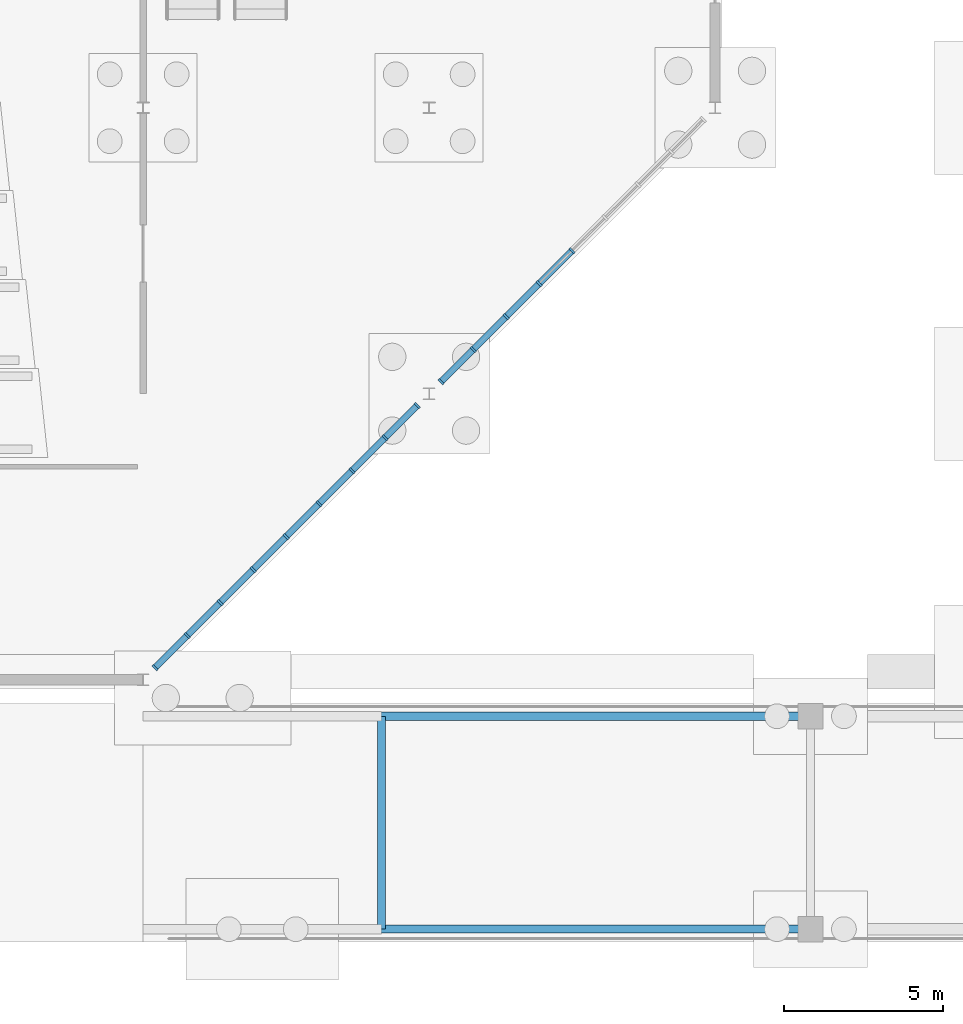
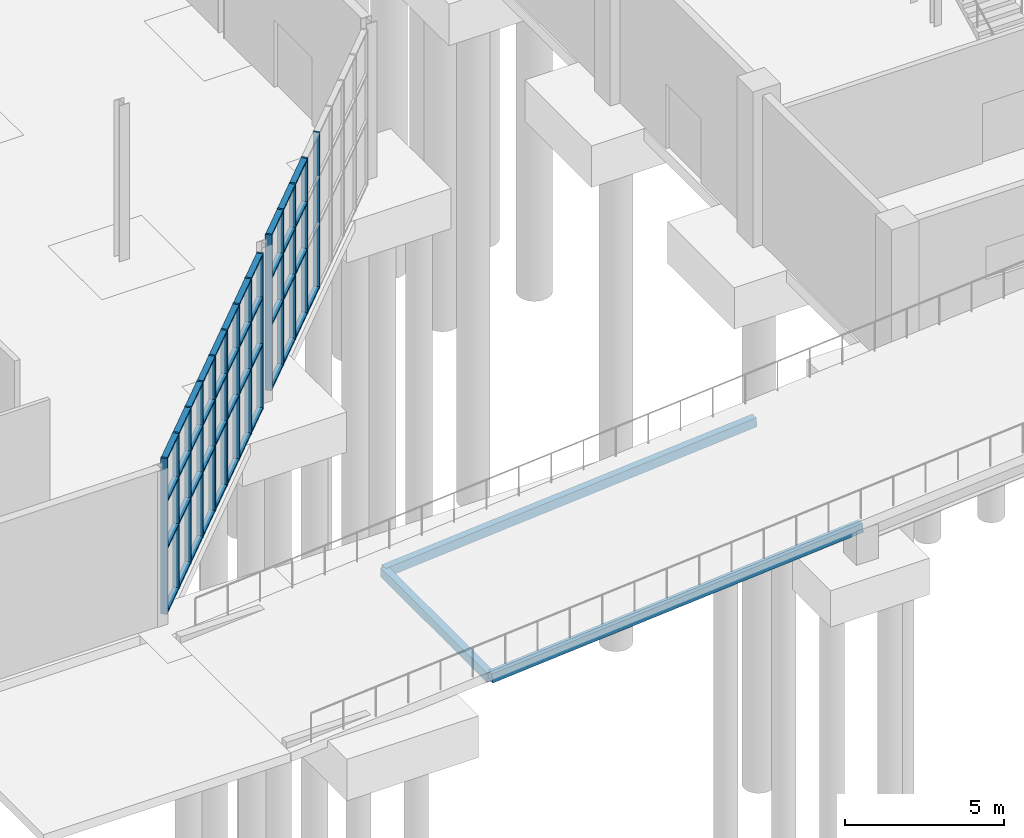
# One storey, part 37 of 131: 59 members, 3 beams, 2 elements without a shape of their own.
"""IFC4 building model written with IfcOpenShell, lengths in metres."""

import ifcopenshell
import ifcopenshell.guid

model = None  # the IFC model being written
_history = None  # IfcOwnerHistory: only IFC2X3 demands one
_inside = {}  # id of a spatial element -> (the spatial element, [elements in it])
_under = {}  # id of a project, library or spatial element -> (it, [spatial elements below it])
_declared = {}  # id of a project -> (the project, [libraries it declares])
_typed = {}  # id of a type object -> (the type object, [elements of that type])
_made_of = {}  # id of a material, layer set ... -> (it, [elements and type objects made of it])


def new_model(schema):
    """Start an empty IFC model of exactly this schema.

    Asked for "IFC4X3", IfcOpenShell would pick the latest addendum, in which some entities
    have other attributes; the version numbers below select the first issue.
    IFC2X3 requires an IfcOwnerHistory on every rooted entity: one is made here for all.
    """
    global model, _history
    if schema == "IFC4X3":
        model = ifcopenshell.file(schema_version=(4, 3, 0, 0))
    else:
        model = ifcopenshell.file(schema=schema)
    _inside.clear()
    _under.clear()
    _declared.clear()
    _typed.clear()
    _made_of.clear()
    _history = None
    if model.schema == "IFC2X3":
        org = make("IfcOrganization", Name="unknown")
        user = make(
            "IfcPersonAndOrganization",
            ThePerson=make("IfcPerson", FamilyName="unknown"),
            TheOrganization=org,
        )
        app = make(
            "IfcApplication",
            ApplicationDeveloper=org,
            Version="unknown",
            ApplicationFullName="unknown",
            ApplicationIdentifier="unknown",
        )
        _history = make(
            "IfcOwnerHistory",
            OwningUser=user,
            OwningApplication=app,
            ChangeAction="ADDED",
            CreationDate=0,
        )
    return model


def make(cls, **values):
    """One entity of the class cls with the attributes given. An attribute that is None is left unset."""
    return model.create_entity(
        cls, **{name: value for name, value in values.items() if value is not None}
    )


def rooted(cls, **values):
    """An entity with a GlobalId (a new one), such as an element, a storey or a relation."""
    return make(cls, GlobalId=ifcopenshell.guid.new(), OwnerHistory=_history, **values)


def si_unit(unit_type, name, prefix=None):
    """IfcSIUnit, for example si_unit("LENGTHUNIT", "METRE", prefix="MILLI")."""
    return make("IfcSIUnit", UnitType=unit_type, Prefix=prefix, Name=name)


def assignment(units):
    """IfcUnitAssignment: the units of a project."""
    return None if units is None else make("IfcUnitAssignment", Units=units)


def point(xyz):
    """IfcCartesianPoint."""
    return None if xyz is None else make("IfcCartesianPoint", Coordinates=xyz)


def direction(xyz):
    """IfcDirection."""
    return None if xyz is None else make("IfcDirection", DirectionRatios=xyz)


def frame(location, z_axis=None, x_axis=None):
    """IfcAxis2Placement3D, a coordinate frame: its origin and axes. An axis left out is left unset."""
    return make(
        "IfcAxis2Placement3D",
        Location=point(location),
        Axis=direction(z_axis),
        RefDirection=direction(x_axis),
    )


def frame_2d(location, x_axis=None):
    """IfcAxis2Placement2D, a coordinate frame in the plane: its origin and x axis."""
    return make(
        "IfcAxis2Placement2D", Location=point(location), RefDirection=direction(x_axis)
    )


def origin():
    """The frame at (0, 0, 0) with its axes left unset."""
    return frame((0.0, 0.0, 0.0))


def origin_2d():
    """The frame at (0, 0) in the plane with its x axis left unset."""
    return frame_2d((0.0, 0.0))


def place(relative_to, where):
    """IfcLocalPlacement: puts the frame where relative to a parent placement (None: the world)."""
    return make(
        "IfcLocalPlacement", PlacementRelTo=relative_to, RelativePlacement=where
    )


def context(
    kind, dimensions, precision=None, world=None, true_north=None, identifier=None
):
    """IfcGeometricRepresentationContext, for example the 3D "Model" context."""
    return make(
        "IfcGeometricRepresentationContext",
        ContextIdentifier=identifier,
        ContextType=kind,
        CoordinateSpaceDimension=dimensions,
        Precision=precision,
        WorldCoordinateSystem=world,
        TrueNorth=true_north,
    )


def subcontext(parent, identifier, kind, view, scale=None):
    """IfcGeometricRepresentationSubContext, for example "Body" below "Model"."""
    return make(
        "IfcGeometricRepresentationSubContext",
        ContextIdentifier=identifier,
        ContextType=kind,
        ParentContext=parent,
        TargetScale=scale,
        TargetView=view,
    )


def project(units=None, contexts=None):
    """IfcProject with its units and contexts."""
    return rooted(
        "IfcProject",
        Name="project",
        RepresentationContexts=contexts,
        UnitsInContext=assignment(units),
    )


def spatial(cls, under=None, at=None, **own):
    """A site, building, storey or space (cls), placed at a placement, below another one or the project."""
    s = rooted(cls, ObjectPlacement=at, **own)
    if under is not None:
        _under.setdefault(under.id(), (under, []))[1].append(s)
    return s


def profile(cls, at=None, kind="AREA", **sizes):
    """A parametric profile (cls). Its sizes go by their IFC names, for example OverallWidth=200.0."""
    return make(cls, ProfileType=kind, Position=at, **sizes)


def rectangle(**sizes):
    """IfcRectangleProfileDef."""
    return profile("IfcRectangleProfileDef", **sizes)


def hollow_rectangle(**sizes):
    """IfcRectangleHollowProfileDef."""
    return profile("IfcRectangleHollowProfileDef", **sizes)


def extrude(swept, where, along, depth):
    """IfcExtrudedAreaSolid: the profile swept, set in the frame where, extruded along a direction by depth."""
    return make(
        "IfcExtrudedAreaSolid",
        SweptArea=swept,
        Position=where,
        ExtrudedDirection=direction(along),
        Depth=depth,
    )


def shape(context_of_items, identifier, shape_type, items):
    """IfcShapeRepresentation: the items that make up one representation, for example the "Body"."""
    return make(
        "IfcShapeRepresentation",
        ContextOfItems=context_of_items,
        RepresentationIdentifier=identifier,
        RepresentationType=shape_type,
        Items=items,
    )


def material(Name=None, Category=None):
    """IfcMaterial."""
    return make("IfcMaterial", Name=Name, Category=Category)


def layer(
    of_material, thickness, ventilated=None, Name=None, Category=None, Priority=None
):
    """IfcMaterialLayer: one layer of a wall or slab, of a material (None: an air gap)."""
    return make(
        "IfcMaterialLayer",
        Material=of_material,
        LayerThickness=thickness,
        IsVentilated=ventilated,
        Name=Name,
        Category=Category,
        Priority=Priority,
    )


def layer_set(layers, Name=None):
    """IfcMaterialLayerSet."""
    return make("IfcMaterialLayerSet", MaterialLayers=layers, LayerSetName=Name)


def material_profile(
    of_material, cross_section, Name=None, Category=None, Priority=None
):
    """IfcMaterialProfile: a cross section and its material."""
    return make(
        "IfcMaterialProfile",
        Name=Name,
        Material=of_material,
        Profile=cross_section,
        Priority=Priority,
        Category=Category,
    )


def profile_set(profiles, Name=None, composite=None):
    """IfcMaterialProfileSet."""
    return make(
        "IfcMaterialProfileSet",
        Name=Name,
        MaterialProfiles=profiles,
        CompositeProfile=composite,
    )


def made_of(thing, what):
    """Note that an element or type object is made of a material, layer set ...; save() writes the relation."""
    if what is not None:
        _made_of.setdefault(what.id(), (what, []))[1].append(thing)
    return thing


def type_object(cls, material=None, **own):
    """A type object (cls), such as IfcWallType, which elements share."""
    return made_of(rooted(cls, **own), material)


def element(
    cls,
    number,
    at=None,
    inside=None,
    cuts=None,
    type_object=None,
    material=None,
    context=None,
    identifier="Body",
    shape_type=None,
    held_by="IfcProductDefinitionShape",
    body=None,
    shapes=None,
    **own,
):
    """One element of the class cls, such as IfcWall. Its Tag is "e" and its number.

    at: its placement. inside: the storey or other place that contains it. cuts: it is an
    opening in that element (IfcRelVoidsElement). A single representation is given by context,
    identifier, shape_type and body (its items); several are given by shapes. held_by: the class
    of the entity that holds the representations. save() writes the other relations.
    """
    e = rooted(cls, Tag="e%d" % number, ObjectPlacement=at, **own)
    if body is not None:
        shapes = [shape(context, identifier, shape_type, body)]
    if shapes is not None:
        e.Representation = make(held_by, Representations=shapes)
    if inside is not None:
        _inside.setdefault(inside.id(), (inside, []))[1].append(e)
    if cuts is not None:
        rooted(
            "IfcRelVoidsElement", RelatingBuildingElement=cuts, RelatedOpeningElement=e
        )
    if type_object is not None:
        _typed.setdefault(type_object.id(), (type_object, []))[1].append(e)
    return made_of(e, material)


def aggregate(whole, parts):
    """IfcRelAggregates: a whole, such as a stair, and the parts it consists of."""
    return rooted("IfcRelAggregates", RelatingObject=whole, RelatedObjects=parts)


def save(model, path):
    """Write the relations noted so far, then the file.

    IfcRelAggregates (storeys below a building ...), IfcRelContainedInSpatialStructure (elements
    in a storey), IfcRelDefinesByType, IfcRelAssociatesMaterial and IfcRelDeclares: one each for
    every whole, place, type object, material and project.
    """
    for whole, parts in _under.values():
        aggregate(whole, parts)
    for where, things in _inside.values():
        rooted(
            "IfcRelContainedInSpatialStructure",
            RelatedElements=things,
            RelatingStructure=where,
        )
    for kind, things in _typed.values():
        rooted("IfcRelDefinesByType", RelatedObjects=things, RelatingType=kind)
    for what, things in _made_of.values():
        rooted("IfcRelAssociatesMaterial", RelatedObjects=things, RelatingMaterial=what)
    for by, libraries in _declared.values():
        rooted("IfcRelDeclares", RelatingContext=by, RelatedDefinitions=libraries)
    model.write(path)


model = new_model("IFC4")

# Units and contexts
model_context = context("Model", 3, precision=1e-05, world=origin(), true_north=direction((0.0, 1.0)))
body_context = subcontext(model_context, "Body", "Model", "MODEL_VIEW")
ifc_project = project(units=[si_unit("LENGTHUNIT", "METRE"), si_unit("AREAUNIT", "SQUARE_METRE"), si_unit("VOLUMEUNIT", "CUBIC_METRE"), si_unit("PLANEANGLEUNIT", "RADIAN"), si_unit("MASSUNIT", "GRAM", prefix="KILO")], contexts=[model_context])

# Site, building, storey
site_placement = place(None, origin())
site = spatial("IfcSite", under=ifc_project, at=site_placement, CompositionType="ELEMENT")
building_placement = place(site_placement, origin())
building = spatial("IfcBuilding", under=site, at=building_placement, Name="Cazmaro Siding Exhibition Halls", CompositionType="ELEMENT")
storey_placement = place(building_placement, origin())
storey = spatial("IfcBuildingStorey", under=building, at=storey_placement, Name="L00", CompositionType="ELEMENT", Elevation=0.0)

# Beams
ifc_material_1 = material(Name="Steel ASTM A500 Grade C", Category="steel")
ifc_material_profile_1 = material_profile(ifc_material_1, hollow_rectangle(XDim=0.25390625, YDim=0.35595703125, WallThickness=0.014892578125, at=origin_2d()), Name="HSS14X10X5/8")
ifc_profile_set_1 = profile_set([ifc_material_profile_1], Name="Steel ASTM A500 Grade C")
beam_type = type_object("IfcBeamType", Name="B-06", PredefinedType="BEAM", material=ifc_profile_set_1)
beam_placement = place(storey_placement, frame((52.5, 1.14990234375, 0.06591796875), z_axis=(0.0, 1.0, 0.0), x_axis=(-1.0, 0.0, 0.0)))
element("IfcBeam", 1, at=beam_placement, inside=storey, type_object=beam_type, Name="Truck viaduct abutment seat beam B-06 BM-2439", PredefinedType="BEAM", context=body_context, shape_type="SweptSolid", body=[
    extrude(hollow_rectangle(XDim=0.25390625, YDim=0.35595703125, WallThickness=0.014892578125, at=origin_2d()), origin(), (0.0, 0.0, 1.0), 6.7001953125),
])
for number, where, z_axis, x_axis, name in (
    (2, (52.5, 1.14990234375, 0.06591796875), (0.996814819966, 0.0, 0.079750954202), (0.0, 1.0, 0.0), "Truck viaduct sloped stringer girder B-06 BM-2440"),
    (3, (52.5, 7.85009765625, 0.06591796875), (0.996814819966, 0.0, 0.079750954202), (0.0, 1.0, 0.0), "Truck viaduct sloped stringer girder B-06 BM-2441"),
):
    element("IfcBeam", number, at=place(storey_placement, frame(where, z_axis=z_axis, x_axis=x_axis)), inside=storey, type_object=beam_type, Name=name, PredefinedType="BEAM", context=body_context, shape_type="SweptSolid", body=[
        extrude(hollow_rectangle(XDim=0.25390625, YDim=0.35595703125, WallThickness=0.014892578125, at=origin_2d()), origin(), (0.0, 0.0, 1.0), 13.543212890625),
    ])

# Curtain wall, members
ifc_material_2 = material(Name="Anodized Bronze Aluminum and Solar-Control Low-E Glazing", Category="aluminium")
ifc_layer = layer(ifc_material_2, 0.219970703125)
ifc_layer_set = layer_set([ifc_layer], Name="Anodized Bronze Aluminum and Solar-Control Low-E Glazing")
curtain_wall_type = type_object("IfcCurtainWallType", Name="CWS-03", PredefinedType="USERDEFINED", material=ifc_layer_set)
curtain_wall_1_placement = place(storey_placement, origin())
curtain_wall_1 = element("IfcCurtainWall", 4, at=curtain_wall_1_placement, inside=storey, type_object=curtain_wall_type, Name="Glazed Curtain Wall CWS-03 CW-211", ObjectType="GLAZED CURTAIN WALL", PredefinedType="USERDEFINED")
ifc_material_3 = material(Name="Anodized Bronze Extruded Aluminum", Category="aluminium")
ifc_material_profile_2 = material_profile(ifc_material_3, rectangle(XDim=0.219970703125, YDim=0.070068359375, at=origin_2d()), Name="CWM-03")
ifc_profile_set_2 = profile_set([ifc_material_profile_2], Name="Anodized Bronze Extruded Aluminum")
member_type_1 = type_object("IfcMemberType", Name="CWM-03", PredefinedType="MULLION", material=ifc_profile_set_2)
member_1_placement = place(storey_placement, frame((45.374755859375, 9.374755859375, 0.0), z_axis=(0.0, 0.0, 1.0), x_axis=(-0.707106781187, 0.707106781187, 0.0)))
member_1 = element("IfcMember", 5, at=member_1_placement, type_object=member_type_1, Name="CWS-03 mullion 1", PredefinedType="MULLION", context=body_context, shape_type="SweptSolid", body=[
    extrude(rectangle(XDim=0.219970703125, YDim=0.070068359375, at=origin_2d()), origin(), (0.0, 0.0, 1.0), 6.0),
])
member_2_placement = place(storey_placement, frame((46.387451171875, 10.387451171875, 0.0), z_axis=(0.0, 0.0, 1.0), x_axis=(-0.707106781187, 0.707106781187, 0.0)))
member_2 = element("IfcMember", 6, at=member_2_placement, type_object=member_type_1, Name="CWS-03 mullion 2", PredefinedType="MULLION", context=body_context, shape_type="SweptSolid", body=[
    extrude(rectangle(XDim=0.219970703125, YDim=0.070068359375, at=origin_2d()), origin(), (0.0, 0.0, 1.0), 6.0),
])
member_3_placement = place(storey_placement, frame((47.425048828125, 11.425048828125, 0.0), z_axis=(0.0, 0.0, 1.0), x_axis=(-0.707106781187, 0.707106781187, 0.0)))
member_3 = element("IfcMember", 7, at=member_3_placement, type_object=member_type_1, Name="CWS-03 mullion 3", PredefinedType="MULLION", context=body_context, shape_type="SweptSolid", body=[
    extrude(rectangle(XDim=0.219970703125, YDim=0.070068359375, at=origin_2d()), origin(), (0.0, 0.0, 1.0), 6.0),
])
member_4_placement = place(storey_placement, frame((48.46240234375, 12.46240234375, 0.0), z_axis=(0.0, 0.0, 1.0), x_axis=(-0.707106781187, 0.707106781187, 0.0)))
member_4 = element("IfcMember", 8, at=member_4_placement, type_object=member_type_1, Name="CWS-03 mullion 4", PredefinedType="MULLION", context=body_context, shape_type="SweptSolid", body=[
    extrude(rectangle(XDim=0.219970703125, YDim=0.070068359375, at=origin_2d()), origin(), (0.0, 0.0, 1.0), 6.0),
])
member_5_placement = place(storey_placement, frame((49.5, 13.5, 0.0), z_axis=(0.0, 0.0, 1.0), x_axis=(-0.707106781187, 0.707106781187, 0.0)))
member_5 = element("IfcMember", 9, at=member_5_placement, type_object=member_type_1, Name="CWS-03 mullion 5", PredefinedType="MULLION", context=body_context, shape_type="SweptSolid", body=[
    extrude(rectangle(XDim=0.219970703125, YDim=0.070068359375, at=origin_2d()), origin(), (0.0, 0.0, 1.0), 6.0),
])
member_6_placement = place(storey_placement, frame((50.53759765625, 14.53759765625, 0.0), z_axis=(0.0, 0.0, 1.0), x_axis=(-0.707106781187, 0.707106781187, 0.0)))
member_6 = element("IfcMember", 10, at=member_6_placement, type_object=member_type_1, Name="CWS-03 mullion 6", PredefinedType="MULLION", context=body_context, shape_type="SweptSolid", body=[
    extrude(rectangle(XDim=0.219970703125, YDim=0.070068359375, at=origin_2d()), origin(), (0.0, 0.0, 1.0), 6.0),
])
member_7_placement = place(storey_placement, frame((51.574951171875, 15.574951171875, 0.0), z_axis=(0.0, 0.0, 1.0), x_axis=(-0.707106781187, 0.707106781187, 0.0)))
member_7 = element("IfcMember", 11, at=member_7_placement, type_object=member_type_1, Name="CWS-03 mullion 7", PredefinedType="MULLION", context=body_context, shape_type="SweptSolid", body=[
    extrude(rectangle(XDim=0.219970703125, YDim=0.070068359375, at=origin_2d()), origin(), (0.0, 0.0, 1.0), 6.0),
])
member_8_placement = place(storey_placement, frame((52.612548828125, 16.612548828125, 0.0), z_axis=(0.0, 0.0, 1.0), x_axis=(-0.707106781187, 0.707106781187, 0.0)))
member_8 = element("IfcMember", 12, at=member_8_placement, type_object=member_type_1, Name="CWS-03 mullion 8", PredefinedType="MULLION", context=body_context, shape_type="SweptSolid", body=[
    extrude(rectangle(XDim=0.219970703125, YDim=0.070068359375, at=origin_2d()), origin(), (0.0, 0.0, 1.0), 6.0),
])
member_9_placement = place(storey_placement, frame((53.625244140625, 17.625244140625, 0.0), z_axis=(0.0, 0.0, 1.0), x_axis=(-0.707106781187, 0.707106781187, 0.0)))
member_9 = element("IfcMember", 13, at=member_9_placement, type_object=member_type_1, Name="CWS-03 mullion 9", PredefinedType="MULLION", context=body_context, shape_type="SweptSolid", body=[
    extrude(rectangle(XDim=0.219970703125, YDim=0.070068359375, at=origin_2d()), origin(), (0.0, 0.0, 1.0), 6.0),
])

curtain_wall_2_placement = place(storey_placement, origin())
curtain_wall_2 = element("IfcCurtainWall", 14, at=curtain_wall_2_placement, inside=storey, type_object=curtain_wall_type, Name="Glazed Curtain Wall CWS-03 CW-214", ObjectType="GLAZED CURTAIN WALL", PredefinedType="USERDEFINED")
member_10_placement = place(storey_placement, frame((54.374755859375, 18.374755859375, 0.0), z_axis=(0.0, 0.0, 1.0), x_axis=(-0.707106781187, 0.707106781187, 0.0)))
member_10 = element("IfcMember", 15, at=member_10_placement, type_object=member_type_1, Name="CWS-03 mullion 1", PredefinedType="MULLION", context=body_context, shape_type="SweptSolid", body=[
    extrude(rectangle(XDim=0.219970703125, YDim=0.070068359375, at=origin_2d()), origin(), (0.0, 0.0, 1.0), 6.0),
])
member_11_placement = place(storey_placement, frame((55.387451171875, 19.387451171875, 0.0), z_axis=(0.0, 0.0, 1.0), x_axis=(-0.707106781187, 0.707106781187, 0.0)))
member_11 = element("IfcMember", 16, at=member_11_placement, type_object=member_type_1, Name="CWS-03 mullion 2", PredefinedType="MULLION", context=body_context, shape_type="SweptSolid", body=[
    extrude(rectangle(XDim=0.219970703125, YDim=0.070068359375, at=origin_2d()), origin(), (0.0, 0.0, 1.0), 6.0),
])
member_12_placement = place(storey_placement, frame((56.425048828125, 20.425048828125, 0.0), z_axis=(0.0, 0.0, 1.0), x_axis=(-0.707106781187, 0.707106781187, 0.0)))
member_12 = element("IfcMember", 17, at=member_12_placement, type_object=member_type_1, Name="CWS-03 mullion 3", PredefinedType="MULLION", context=body_context, shape_type="SweptSolid", body=[
    extrude(rectangle(XDim=0.219970703125, YDim=0.070068359375, at=origin_2d()), origin(), (0.0, 0.0, 1.0), 6.0),
])
member_13_placement = place(storey_placement, frame((57.46240234375, 21.46240234375, 0.0), z_axis=(0.0, 0.0, 1.0), x_axis=(-0.707106781187, 0.707106781187, 0.0)))
member_13 = element("IfcMember", 18, at=member_13_placement, type_object=member_type_1, Name="CWS-03 mullion 4", PredefinedType="MULLION", context=body_context, shape_type="SweptSolid", body=[
    extrude(rectangle(XDim=0.219970703125, YDim=0.070068359375, at=origin_2d()), origin(), (0.0, 0.0, 1.0), 6.0),
])
member_14_placement = place(storey_placement, frame((58.5, 22.5, 0.0), z_axis=(0.0, 0.0, 1.0), x_axis=(-0.707106781187, 0.707106781187, 0.0)))
member_14 = element("IfcMember", 19, at=member_14_placement, type_object=member_type_1, Name="CWS-03 mullion 5", PredefinedType="MULLION", context=body_context, shape_type="SweptSolid", body=[
    extrude(rectangle(XDim=0.219970703125, YDim=0.070068359375, at=origin_2d()), origin(), (0.0, 0.0, 1.0), 6.0),
])

# Member
ifc_material_4 = material(Name="Anodized Bronze Extruded Aluminum", Category="aluminium")
ifc_material_profile_3 = material_profile(ifc_material_4, rectangle(XDim=0.199951171875, YDim=0.070068359375, at=origin_2d()), Name="CWT-03")
ifc_profile_set_3 = profile_set([ifc_material_profile_3], Name="Anodized Bronze Extruded Aluminum")
member_type_2 = type_object("IfcMemberType", Name="CWT-03", PredefinedType="MULLION", material=ifc_profile_set_3)
member_15_placement = place(storey_placement, frame((45.3994140625, 9.3994140625, 0.034912109375), z_axis=(0.707106781187, 0.707106781187, 0.0), x_axis=(-0.707106781187, 0.707106781187, 0.0)))
member_15 = element("IfcMember", 20, at=member_15_placement, type_object=member_type_2, Name="CWS-03 transom 1.1", ObjectType="TRANSOM", PredefinedType="USERDEFINED", context=body_context, shape_type="SweptSolid", body=[
    extrude(rectangle(XDim=0.199951171875, YDim=0.070068359375, at=origin_2d()), origin(), (0.0, 0.0, 1.0), 1.3623046875),
])

member_16_placement = place(storey_placement, frame((45.3994140625, 9.3994140625, 2.5), z_axis=(0.707106781187, 0.707106781187, 0.0), x_axis=(-0.707106781187, 0.707106781187, 0.0)))
member_16 = element("IfcMember", 21, at=member_16_placement, type_object=member_type_2, Name="CWS-03 transom 1.2", ObjectType="TRANSOM", PredefinedType="USERDEFINED", context=body_context, shape_type="SweptSolid", body=[
    extrude(rectangle(XDim=0.199951171875, YDim=0.070068359375, at=origin_2d()), origin(), (0.0, 0.0, 1.0), 1.3623046875),
])

member_17_placement = place(storey_placement, frame((45.3994140625, 9.3994140625, 4.300048828125), z_axis=(0.707106781187, 0.707106781187, 0.0), x_axis=(-0.707106781187, 0.707106781187, 0.0)))
member_17 = element("IfcMember", 22, at=member_17_placement, type_object=member_type_2, Name="CWS-03 transom 1.3", ObjectType="TRANSOM", PredefinedType="USERDEFINED", context=body_context, shape_type="SweptSolid", body=[
    extrude(rectangle(XDim=0.199951171875, YDim=0.070068359375, at=origin_2d()), origin(), (0.0, 0.0, 1.0), 1.3623046875),
])

member_18_placement = place(storey_placement, frame((45.3994140625, 9.3994140625, 5.965087890625), z_axis=(0.707106781187, 0.707106781187, 0.0), x_axis=(-0.707106781187, 0.707106781187, 0.0)))
member_18 = element("IfcMember", 23, at=member_18_placement, type_object=member_type_2, Name="CWS-03 transom 1.4", ObjectType="TRANSOM", PredefinedType="USERDEFINED", context=body_context, shape_type="SweptSolid", body=[
    extrude(rectangle(XDim=0.199951171875, YDim=0.070068359375, at=origin_2d()), origin(), (0.0, 0.0, 1.0), 1.3623046875),
])

member_19_placement = place(storey_placement, frame((46.412353515625, 10.412353515625, 0.034912109375), z_axis=(0.707106781187, 0.707106781187, 0.0), x_axis=(-0.707106781187, 0.707106781187, 0.0)))
member_19 = element("IfcMember", 24, at=member_19_placement, type_object=member_type_2, Name="CWS-03 transom 2.1", ObjectType="TRANSOM", PredefinedType="USERDEFINED", context=body_context, shape_type="SweptSolid", body=[
    extrude(rectangle(XDim=0.199951171875, YDim=0.070068359375, at=origin_2d()), origin(), (0.0, 0.0, 1.0), 1.39697265625),
])

member_20_placement = place(storey_placement, frame((46.412353515625, 10.412353515625, 2.5), z_axis=(0.707106781187, 0.707106781187, 0.0), x_axis=(-0.707106781187, 0.707106781187, 0.0)))
member_20 = element("IfcMember", 25, at=member_20_placement, type_object=member_type_2, Name="CWS-03 transom 2.2", ObjectType="TRANSOM", PredefinedType="USERDEFINED", context=body_context, shape_type="SweptSolid", body=[
    extrude(rectangle(XDim=0.199951171875, YDim=0.070068359375, at=origin_2d()), origin(), (0.0, 0.0, 1.0), 1.39697265625),
])

member_21_placement = place(storey_placement, frame((46.412353515625, 10.412353515625, 4.300048828125), z_axis=(0.707106781187, 0.707106781187, 0.0), x_axis=(-0.707106781187, 0.707106781187, 0.0)))
member_21 = element("IfcMember", 26, at=member_21_placement, type_object=member_type_2, Name="CWS-03 transom 2.3", ObjectType="TRANSOM", PredefinedType="USERDEFINED", context=body_context, shape_type="SweptSolid", body=[
    extrude(rectangle(XDim=0.199951171875, YDim=0.070068359375, at=origin_2d()), origin(), (0.0, 0.0, 1.0), 1.39697265625),
])

member_22_placement = place(storey_placement, frame((46.412353515625, 10.412353515625, 5.965087890625), z_axis=(0.707106781187, 0.707106781187, 0.0), x_axis=(-0.707106781187, 0.707106781187, 0.0)))
member_22 = element("IfcMember", 27, at=member_22_placement, type_object=member_type_2, Name="CWS-03 transom 2.4", ObjectType="TRANSOM", PredefinedType="USERDEFINED", context=body_context, shape_type="SweptSolid", body=[
    extrude(rectangle(XDim=0.199951171875, YDim=0.070068359375, at=origin_2d()), origin(), (0.0, 0.0, 1.0), 1.39697265625),
])

member_23_placement = place(storey_placement, frame((47.44970703125, 11.44970703125, 0.034912109375), z_axis=(0.707106781187, 0.707106781187, 0.0), x_axis=(-0.707106781187, 0.707106781187, 0.0)))
member_23 = element("IfcMember", 28, at=member_23_placement, type_object=member_type_2, Name="CWS-03 transom 3.1", ObjectType="TRANSOM", PredefinedType="USERDEFINED", context=body_context, shape_type="SweptSolid", body=[
    extrude(rectangle(XDim=0.199951171875, YDim=0.070068359375, at=origin_2d()), origin(), (0.0, 0.0, 1.0), 1.397216796875),
])

member_24_placement = place(storey_placement, frame((47.44970703125, 11.44970703125, 2.5), z_axis=(0.707106781187, 0.707106781187, 0.0), x_axis=(-0.707106781187, 0.707106781187, 0.0)))
member_24 = element("IfcMember", 29, at=member_24_placement, type_object=member_type_2, Name="CWS-03 transom 3.2", ObjectType="TRANSOM", PredefinedType="USERDEFINED", context=body_context, shape_type="SweptSolid", body=[
    extrude(rectangle(XDim=0.199951171875, YDim=0.070068359375, at=origin_2d()), origin(), (0.0, 0.0, 1.0), 1.397216796875),
])

member_25_placement = place(storey_placement, frame((47.44970703125, 11.44970703125, 4.300048828125), z_axis=(0.707106781187, 0.707106781187, 0.0), x_axis=(-0.707106781187, 0.707106781187, 0.0)))
member_25 = element("IfcMember", 30, at=member_25_placement, type_object=member_type_2, Name="CWS-03 transom 3.3", ObjectType="TRANSOM", PredefinedType="USERDEFINED", context=body_context, shape_type="SweptSolid", body=[
    extrude(rectangle(XDim=0.199951171875, YDim=0.070068359375, at=origin_2d()), origin(), (0.0, 0.0, 1.0), 1.397216796875),
])

member_26_placement = place(storey_placement, frame((47.44970703125, 11.44970703125, 5.965087890625), z_axis=(0.707106781187, 0.707106781187, 0.0), x_axis=(-0.707106781187, 0.707106781187, 0.0)))
member_26 = element("IfcMember", 31, at=member_26_placement, type_object=member_type_2, Name="CWS-03 transom 3.4", ObjectType="TRANSOM", PredefinedType="USERDEFINED", context=body_context, shape_type="SweptSolid", body=[
    extrude(rectangle(XDim=0.199951171875, YDim=0.070068359375, at=origin_2d()), origin(), (0.0, 0.0, 1.0), 1.397216796875),
])

member_27_placement = place(storey_placement, frame((48.4873046875, 12.4873046875, 0.034912109375), z_axis=(0.707106781187, 0.707106781187, 0.0), x_axis=(-0.707106781187, 0.707106781187, 0.0)))
member_27 = element("IfcMember", 32, at=member_27_placement, type_object=member_type_2, Name="CWS-03 transom 4.1", ObjectType="TRANSOM", PredefinedType="USERDEFINED", context=body_context, shape_type="SweptSolid", body=[
    extrude(rectangle(XDim=0.199951171875, YDim=0.070068359375, at=origin_2d()), origin(), (0.0, 0.0, 1.0), 1.397216796875),
])

member_28_placement = place(storey_placement, frame((48.4873046875, 12.4873046875, 2.5), z_axis=(0.707106781187, 0.707106781187, 0.0), x_axis=(-0.707106781187, 0.707106781187, 0.0)))
member_28 = element("IfcMember", 33, at=member_28_placement, type_object=member_type_2, Name="CWS-03 transom 4.2", ObjectType="TRANSOM", PredefinedType="USERDEFINED", context=body_context, shape_type="SweptSolid", body=[
    extrude(rectangle(XDim=0.199951171875, YDim=0.070068359375, at=origin_2d()), origin(), (0.0, 0.0, 1.0), 1.397216796875),
])

member_29_placement = place(storey_placement, frame((48.4873046875, 12.4873046875, 4.300048828125), z_axis=(0.707106781187, 0.707106781187, 0.0), x_axis=(-0.707106781187, 0.707106781187, 0.0)))
member_29 = element("IfcMember", 34, at=member_29_placement, type_object=member_type_2, Name="CWS-03 transom 4.3", ObjectType="TRANSOM", PredefinedType="USERDEFINED", context=body_context, shape_type="SweptSolid", body=[
    extrude(rectangle(XDim=0.199951171875, YDim=0.070068359375, at=origin_2d()), origin(), (0.0, 0.0, 1.0), 1.397216796875),
])

member_30_placement = place(storey_placement, frame((48.4873046875, 12.4873046875, 5.965087890625), z_axis=(0.707106781187, 0.707106781187, 0.0), x_axis=(-0.707106781187, 0.707106781187, 0.0)))
member_30 = element("IfcMember", 35, at=member_30_placement, type_object=member_type_2, Name="CWS-03 transom 4.4", ObjectType="TRANSOM", PredefinedType="USERDEFINED", context=body_context, shape_type="SweptSolid", body=[
    extrude(rectangle(XDim=0.199951171875, YDim=0.070068359375, at=origin_2d()), origin(), (0.0, 0.0, 1.0), 1.397216796875),
])

member_31_placement = place(storey_placement, frame((49.524658203125, 13.524658203125, 0.034912109375), z_axis=(0.707106781187, 0.707106781187, 0.0), x_axis=(-0.707106781187, 0.707106781187, 0.0)))
member_31 = element("IfcMember", 36, at=member_31_placement, type_object=member_type_2, Name="CWS-03 transom 5.1", ObjectType="TRANSOM", PredefinedType="USERDEFINED", context=body_context, shape_type="SweptSolid", body=[
    extrude(rectangle(XDim=0.199951171875, YDim=0.070068359375, at=origin_2d()), origin(), (0.0, 0.0, 1.0), 1.397216796875),
])

member_32_placement = place(storey_placement, frame((49.524658203125, 13.524658203125, 2.5), z_axis=(0.707106781187, 0.707106781187, 0.0), x_axis=(-0.707106781187, 0.707106781187, 0.0)))
member_32 = element("IfcMember", 37, at=member_32_placement, type_object=member_type_2, Name="CWS-03 transom 5.2", ObjectType="TRANSOM", PredefinedType="USERDEFINED", context=body_context, shape_type="SweptSolid", body=[
    extrude(rectangle(XDim=0.199951171875, YDim=0.070068359375, at=origin_2d()), origin(), (0.0, 0.0, 1.0), 1.397216796875),
])

member_33_placement = place(storey_placement, frame((49.524658203125, 13.524658203125, 4.300048828125), z_axis=(0.707106781187, 0.707106781187, 0.0), x_axis=(-0.707106781187, 0.707106781187, 0.0)))
member_33 = element("IfcMember", 38, at=member_33_placement, type_object=member_type_2, Name="CWS-03 transom 5.3", ObjectType="TRANSOM", PredefinedType="USERDEFINED", context=body_context, shape_type="SweptSolid", body=[
    extrude(rectangle(XDim=0.199951171875, YDim=0.070068359375, at=origin_2d()), origin(), (0.0, 0.0, 1.0), 1.397216796875),
])

member_34_placement = place(storey_placement, frame((49.524658203125, 13.524658203125, 5.965087890625), z_axis=(0.707106781187, 0.707106781187, 0.0), x_axis=(-0.707106781187, 0.707106781187, 0.0)))
member_34 = element("IfcMember", 39, at=member_34_placement, type_object=member_type_2, Name="CWS-03 transom 5.4", ObjectType="TRANSOM", PredefinedType="USERDEFINED", context=body_context, shape_type="SweptSolid", body=[
    extrude(rectangle(XDim=0.199951171875, YDim=0.070068359375, at=origin_2d()), origin(), (0.0, 0.0, 1.0), 1.397216796875),
])

member_35_placement = place(storey_placement, frame((50.562255859375, 14.562255859375, 0.034912109375), z_axis=(0.707106781187, 0.707106781187, 0.0), x_axis=(-0.707106781187, 0.707106781187, 0.0)))
member_35 = element("IfcMember", 40, at=member_35_placement, type_object=member_type_2, Name="CWS-03 transom 6.1", ObjectType="TRANSOM", PredefinedType="USERDEFINED", context=body_context, shape_type="SweptSolid", body=[
    extrude(rectangle(XDim=0.199951171875, YDim=0.070068359375, at=origin_2d()), origin(), (0.0, 0.0, 1.0), 1.397216796875),
])

member_36_placement = place(storey_placement, frame((50.562255859375, 14.562255859375, 2.5), z_axis=(0.707106781187, 0.707106781187, 0.0), x_axis=(-0.707106781187, 0.707106781187, 0.0)))
member_36 = element("IfcMember", 41, at=member_36_placement, type_object=member_type_2, Name="CWS-03 transom 6.2", ObjectType="TRANSOM", PredefinedType="USERDEFINED", context=body_context, shape_type="SweptSolid", body=[
    extrude(rectangle(XDim=0.199951171875, YDim=0.070068359375, at=origin_2d()), origin(), (0.0, 0.0, 1.0), 1.397216796875),
])

member_37_placement = place(storey_placement, frame((50.562255859375, 14.562255859375, 4.300048828125), z_axis=(0.707106781187, 0.707106781187, 0.0), x_axis=(-0.707106781187, 0.707106781187, 0.0)))
member_37 = element("IfcMember", 42, at=member_37_placement, type_object=member_type_2, Name="CWS-03 transom 6.3", ObjectType="TRANSOM", PredefinedType="USERDEFINED", context=body_context, shape_type="SweptSolid", body=[
    extrude(rectangle(XDim=0.199951171875, YDim=0.070068359375, at=origin_2d()), origin(), (0.0, 0.0, 1.0), 1.397216796875),
])

member_38_placement = place(storey_placement, frame((50.562255859375, 14.562255859375, 5.965087890625), z_axis=(0.707106781187, 0.707106781187, 0.0), x_axis=(-0.707106781187, 0.707106781187, 0.0)))
member_38 = element("IfcMember", 43, at=member_38_placement, type_object=member_type_2, Name="CWS-03 transom 6.4", ObjectType="TRANSOM", PredefinedType="USERDEFINED", context=body_context, shape_type="SweptSolid", body=[
    extrude(rectangle(XDim=0.199951171875, YDim=0.070068359375, at=origin_2d()), origin(), (0.0, 0.0, 1.0), 1.397216796875),
])

member_39_placement = place(storey_placement, frame((51.599853515625, 15.599853515625, 0.034912109375), z_axis=(0.707106781187, 0.707106781187, 0.0), x_axis=(-0.707106781187, 0.707106781187, 0.0)))
member_39 = element("IfcMember", 44, at=member_39_placement, type_object=member_type_2, Name="CWS-03 transom 7.1", ObjectType="TRANSOM", PredefinedType="USERDEFINED", context=body_context, shape_type="SweptSolid", body=[
    extrude(rectangle(XDim=0.199951171875, YDim=0.070068359375, at=origin_2d()), origin(), (0.0, 0.0, 1.0), 1.39697265625),
])

member_40_placement = place(storey_placement, frame((51.599853515625, 15.599853515625, 2.5), z_axis=(0.707106781187, 0.707106781187, 0.0), x_axis=(-0.707106781187, 0.707106781187, 0.0)))
member_40 = element("IfcMember", 45, at=member_40_placement, type_object=member_type_2, Name="CWS-03 transom 7.2", ObjectType="TRANSOM", PredefinedType="USERDEFINED", context=body_context, shape_type="SweptSolid", body=[
    extrude(rectangle(XDim=0.199951171875, YDim=0.070068359375, at=origin_2d()), origin(), (0.0, 0.0, 1.0), 1.39697265625),
])

member_41_placement = place(storey_placement, frame((51.599853515625, 15.599853515625, 4.300048828125), z_axis=(0.707106781187, 0.707106781187, 0.0), x_axis=(-0.707106781187, 0.707106781187, 0.0)))
member_41 = element("IfcMember", 46, at=member_41_placement, type_object=member_type_2, Name="CWS-03 transom 7.3", ObjectType="TRANSOM", PredefinedType="USERDEFINED", context=body_context, shape_type="SweptSolid", body=[
    extrude(rectangle(XDim=0.199951171875, YDim=0.070068359375, at=origin_2d()), origin(), (0.0, 0.0, 1.0), 1.39697265625),
])

member_42_placement = place(storey_placement, frame((51.599853515625, 15.599853515625, 5.965087890625), z_axis=(0.707106781187, 0.707106781187, 0.0), x_axis=(-0.707106781187, 0.707106781187, 0.0)))
member_42 = element("IfcMember", 47, at=member_42_placement, type_object=member_type_2, Name="CWS-03 transom 7.4", ObjectType="TRANSOM", PredefinedType="USERDEFINED", context=body_context, shape_type="SweptSolid", body=[
    extrude(rectangle(XDim=0.199951171875, YDim=0.070068359375, at=origin_2d()), origin(), (0.0, 0.0, 1.0), 1.39697265625),
])

member_43_placement = place(storey_placement, frame((52.63720703125, 16.63720703125, 0.034912109375), z_axis=(0.707106781187, 0.707106781187, 0.0), x_axis=(-0.707106781187, 0.707106781187, 0.0)))
member_43 = element("IfcMember", 48, at=member_43_placement, type_object=member_type_2, Name="CWS-03 transom 8.1", ObjectType="TRANSOM", PredefinedType="USERDEFINED", context=body_context, shape_type="SweptSolid", body=[
    extrude(rectangle(XDim=0.199951171875, YDim=0.070068359375, at=origin_2d()), origin(), (0.0, 0.0, 1.0), 1.3623046875),
])

member_44_placement = place(storey_placement, frame((52.63720703125, 16.63720703125, 2.5), z_axis=(0.707106781187, 0.707106781187, 0.0), x_axis=(-0.707106781187, 0.707106781187, 0.0)))
member_44 = element("IfcMember", 49, at=member_44_placement, type_object=member_type_2, Name="CWS-03 transom 8.2", ObjectType="TRANSOM", PredefinedType="USERDEFINED", context=body_context, shape_type="SweptSolid", body=[
    extrude(rectangle(XDim=0.199951171875, YDim=0.070068359375, at=origin_2d()), origin(), (0.0, 0.0, 1.0), 1.3623046875),
])

member_45_placement = place(storey_placement, frame((52.63720703125, 16.63720703125, 4.300048828125), z_axis=(0.707106781187, 0.707106781187, 0.0), x_axis=(-0.707106781187, 0.707106781187, 0.0)))
member_45 = element("IfcMember", 50, at=member_45_placement, type_object=member_type_2, Name="CWS-03 transom 8.3", ObjectType="TRANSOM", PredefinedType="USERDEFINED", context=body_context, shape_type="SweptSolid", body=[
    extrude(rectangle(XDim=0.199951171875, YDim=0.070068359375, at=origin_2d()), origin(), (0.0, 0.0, 1.0), 1.3623046875),
])

member_46_placement = place(storey_placement, frame((52.63720703125, 16.63720703125, 5.965087890625), z_axis=(0.707106781187, 0.707106781187, 0.0), x_axis=(-0.707106781187, 0.707106781187, 0.0)))
member_46 = element("IfcMember", 51, at=member_46_placement, type_object=member_type_2, Name="CWS-03 transom 8.4", ObjectType="TRANSOM", PredefinedType="USERDEFINED", context=body_context, shape_type="SweptSolid", body=[
    extrude(rectangle(XDim=0.199951171875, YDim=0.070068359375, at=origin_2d()), origin(), (0.0, 0.0, 1.0), 1.3623046875),
])

aggregate(curtain_wall_1, [member_1, member_2, member_3, member_4, member_5, member_6, member_7, member_8, member_9, member_15, member_16, member_17, member_18, member_19, member_20, member_21, member_22, member_23, member_24, member_25, member_26, member_27, member_28, member_29, member_30, member_31, member_32, member_33, member_34, member_35, member_36, member_37, member_38, member_39, member_40, member_41, member_42, member_43, member_44, member_45, member_46])

member_47_placement = place(storey_placement, frame((54.3994140625, 18.3994140625, 0.034912109375), z_axis=(0.707106781187, 0.707106781187, 0.0), x_axis=(-0.707106781187, 0.707106781187, 0.0)))
member_47 = element("IfcMember", 52, at=member_47_placement, type_object=member_type_2, Name="CWS-03 transom 1.1", ObjectType="TRANSOM", PredefinedType="USERDEFINED", context=body_context, shape_type="SweptSolid", body=[
    extrude(rectangle(XDim=0.199951171875, YDim=0.070068359375, at=origin_2d()), origin(), (0.0, 0.0, 1.0), 1.3623046875),
])

member_48_placement = place(storey_placement, frame((54.3994140625, 18.3994140625, 2.5), z_axis=(0.707106781187, 0.707106781187, 0.0), x_axis=(-0.707106781187, 0.707106781187, 0.0)))
member_48 = element("IfcMember", 53, at=member_48_placement, type_object=member_type_2, Name="CWS-03 transom 1.2", ObjectType="TRANSOM", PredefinedType="USERDEFINED", context=body_context, shape_type="SweptSolid", body=[
    extrude(rectangle(XDim=0.199951171875, YDim=0.070068359375, at=origin_2d()), origin(), (0.0, 0.0, 1.0), 1.3623046875),
])

member_49_placement = place(storey_placement, frame((54.3994140625, 18.3994140625, 4.300048828125), z_axis=(0.707106781187, 0.707106781187, 0.0), x_axis=(-0.707106781187, 0.707106781187, 0.0)))
member_49 = element("IfcMember", 54, at=member_49_placement, type_object=member_type_2, Name="CWS-03 transom 1.3", ObjectType="TRANSOM", PredefinedType="USERDEFINED", context=body_context, shape_type="SweptSolid", body=[
    extrude(rectangle(XDim=0.199951171875, YDim=0.070068359375, at=origin_2d()), origin(), (0.0, 0.0, 1.0), 1.3623046875),
])

member_50_placement = place(storey_placement, frame((54.3994140625, 18.3994140625, 5.965087890625), z_axis=(0.707106781187, 0.707106781187, 0.0), x_axis=(-0.707106781187, 0.707106781187, 0.0)))
member_50 = element("IfcMember", 55, at=member_50_placement, type_object=member_type_2, Name="CWS-03 transom 1.4", ObjectType="TRANSOM", PredefinedType="USERDEFINED", context=body_context, shape_type="SweptSolid", body=[
    extrude(rectangle(XDim=0.199951171875, YDim=0.070068359375, at=origin_2d()), origin(), (0.0, 0.0, 1.0), 1.3623046875),
])

member_51_placement = place(storey_placement, frame((55.412353515625, 19.412353515625, 0.034912109375), z_axis=(0.707106781187, 0.707106781187, 0.0), x_axis=(-0.707106781187, 0.707106781187, 0.0)))
member_51 = element("IfcMember", 56, at=member_51_placement, type_object=member_type_2, Name="CWS-03 transom 2.1", ObjectType="TRANSOM", PredefinedType="USERDEFINED", context=body_context, shape_type="SweptSolid", body=[
    extrude(rectangle(XDim=0.199951171875, YDim=0.070068359375, at=origin_2d()), origin(), (0.0, 0.0, 1.0), 1.39697265625),
])

member_52_placement = place(storey_placement, frame((55.412353515625, 19.412353515625, 2.5), z_axis=(0.707106781187, 0.707106781187, 0.0), x_axis=(-0.707106781187, 0.707106781187, 0.0)))
member_52 = element("IfcMember", 57, at=member_52_placement, type_object=member_type_2, Name="CWS-03 transom 2.2", ObjectType="TRANSOM", PredefinedType="USERDEFINED", context=body_context, shape_type="SweptSolid", body=[
    extrude(rectangle(XDim=0.199951171875, YDim=0.070068359375, at=origin_2d()), origin(), (0.0, 0.0, 1.0), 1.39697265625),
])

member_53_placement = place(storey_placement, frame((55.412353515625, 19.412353515625, 4.300048828125), z_axis=(0.707106781187, 0.707106781187, 0.0), x_axis=(-0.707106781187, 0.707106781187, 0.0)))
member_53 = element("IfcMember", 58, at=member_53_placement, type_object=member_type_2, Name="CWS-03 transom 2.3", ObjectType="TRANSOM", PredefinedType="USERDEFINED", context=body_context, shape_type="SweptSolid", body=[
    extrude(rectangle(XDim=0.199951171875, YDim=0.070068359375, at=origin_2d()), origin(), (0.0, 0.0, 1.0), 1.39697265625),
])

member_54_placement = place(storey_placement, frame((55.412353515625, 19.412353515625, 5.965087890625), z_axis=(0.707106781187, 0.707106781187, 0.0), x_axis=(-0.707106781187, 0.707106781187, 0.0)))
member_54 = element("IfcMember", 59, at=member_54_placement, type_object=member_type_2, Name="CWS-03 transom 2.4", ObjectType="TRANSOM", PredefinedType="USERDEFINED", context=body_context, shape_type="SweptSolid", body=[
    extrude(rectangle(XDim=0.199951171875, YDim=0.070068359375, at=origin_2d()), origin(), (0.0, 0.0, 1.0), 1.39697265625),
])

member_55_placement = place(storey_placement, frame((56.44970703125, 20.44970703125, 0.034912109375), z_axis=(0.707106781187, 0.707106781187, 0.0), x_axis=(-0.707106781187, 0.707106781187, 0.0)))
member_55 = element("IfcMember", 60, at=member_55_placement, type_object=member_type_2, Name="CWS-03 transom 3.1", ObjectType="TRANSOM", PredefinedType="USERDEFINED", context=body_context, shape_type="SweptSolid", body=[
    extrude(rectangle(XDim=0.199951171875, YDim=0.070068359375, at=origin_2d()), origin(), (0.0, 0.0, 1.0), 1.397216796875),
])

member_56_placement = place(storey_placement, frame((56.44970703125, 20.44970703125, 2.5), z_axis=(0.707106781187, 0.707106781187, 0.0), x_axis=(-0.707106781187, 0.707106781187, 0.0)))
member_56 = element("IfcMember", 61, at=member_56_placement, type_object=member_type_2, Name="CWS-03 transom 3.2", ObjectType="TRANSOM", PredefinedType="USERDEFINED", context=body_context, shape_type="SweptSolid", body=[
    extrude(rectangle(XDim=0.199951171875, YDim=0.070068359375, at=origin_2d()), origin(), (0.0, 0.0, 1.0), 1.397216796875),
])

member_57_placement = place(storey_placement, frame((56.44970703125, 20.44970703125, 4.300048828125), z_axis=(0.707106781187, 0.707106781187, 0.0), x_axis=(-0.707106781187, 0.707106781187, 0.0)))
member_57 = element("IfcMember", 62, at=member_57_placement, type_object=member_type_2, Name="CWS-03 transom 3.3", ObjectType="TRANSOM", PredefinedType="USERDEFINED", context=body_context, shape_type="SweptSolid", body=[
    extrude(rectangle(XDim=0.199951171875, YDim=0.070068359375, at=origin_2d()), origin(), (0.0, 0.0, 1.0), 1.397216796875),
])

member_58_placement = place(storey_placement, frame((56.44970703125, 20.44970703125, 5.965087890625), z_axis=(0.707106781187, 0.707106781187, 0.0), x_axis=(-0.707106781187, 0.707106781187, 0.0)))
member_58 = element("IfcMember", 63, at=member_58_placement, type_object=member_type_2, Name="CWS-03 transom 3.4", ObjectType="TRANSOM", PredefinedType="USERDEFINED", context=body_context, shape_type="SweptSolid", body=[
    extrude(rectangle(XDim=0.199951171875, YDim=0.070068359375, at=origin_2d()), origin(), (0.0, 0.0, 1.0), 1.397216796875),
])

member_59_placement = place(storey_placement, frame((57.4873046875, 21.4873046875, 0.034912109375), z_axis=(0.707106781187, 0.707106781187, 0.0), x_axis=(-0.707106781187, 0.707106781187, 0.0)))
member_59 = element("IfcMember", 64, at=member_59_placement, type_object=member_type_2, Name="CWS-03 transom 4.1", ObjectType="TRANSOM", PredefinedType="USERDEFINED", context=body_context, shape_type="SweptSolid", body=[
    extrude(rectangle(XDim=0.199951171875, YDim=0.070068359375, at=origin_2d()), origin(), (0.0, 0.0, 1.0), 1.397216796875),
])

aggregate(curtain_wall_2, [member_10, member_11, member_12, member_13, member_14, member_47, member_48, member_49, member_50, member_51, member_52, member_53, member_54, member_55, member_56, member_57, member_58, member_59])

save(model, "model.ifc")
